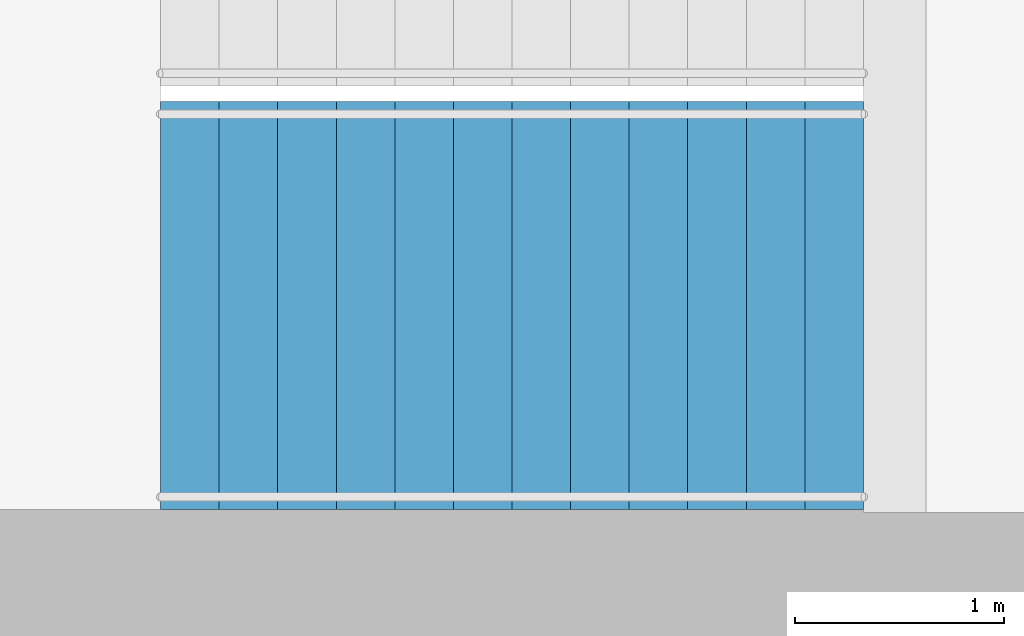
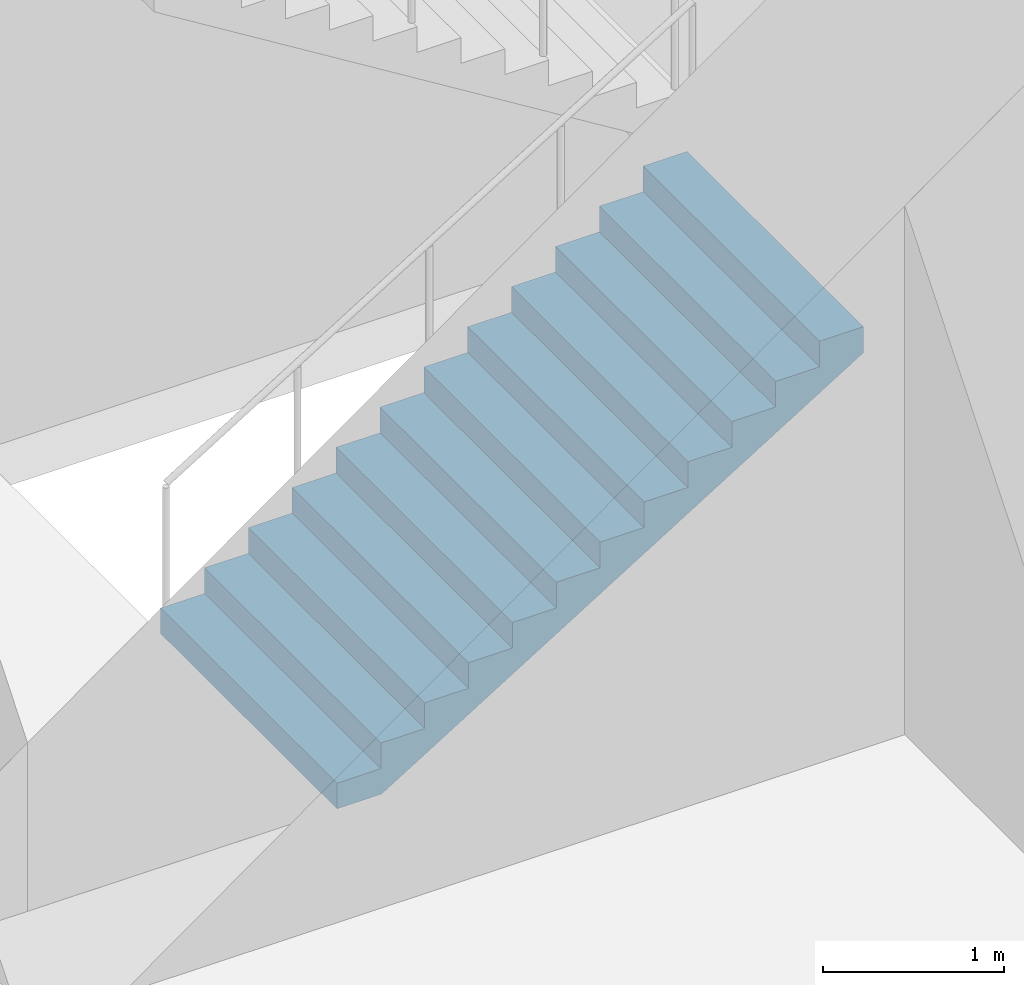
# One storey, part 19 of 32: 1 stair flight, 1 element without a shape of its own.
"""IFC4 building model written with IfcOpenShell, lengths in metres."""

from ifc_helpers import new_model, si_unit, direction, frame, origin, place, context, subcontext, project, spatial, triangles, material, type_object, element, aggregate, save


model = new_model("IFC4")

# Units and contexts
model_context = context("Model", 3, precision=1e-05, world=origin(), true_north=direction((0.0, 1.0)))
body_context = subcontext(model_context, "Body", "Model", "MODEL_VIEW")
ifc_project = project(units=[si_unit("LENGTHUNIT", "METRE"), si_unit("AREAUNIT", "SQUARE_METRE"), si_unit("VOLUMEUNIT", "CUBIC_METRE"), si_unit("PLANEANGLEUNIT", "RADIAN"), si_unit("MASSUNIT", "GRAM", prefix="KILO")], contexts=[model_context])

# Site, building, storey
site_placement = place(None, origin())
site = spatial("IfcSite", under=ifc_project, at=site_placement, CompositionType="ELEMENT")
building_placement = place(site_placement, origin())
building = spatial("IfcBuilding", under=site, at=building_placement, Name="Orbita Commons", CompositionType="ELEMENT")
storey_placement = place(building_placement, frame((0.0, 0.0, 140.35009765625)))
storey = spatial("IfcBuildingStorey", under=building, at=storey_placement, Name="L34", CompositionType="ELEMENT", Elevation=140.35009765625)

# Stair, stair flight
ifc_material_1 = material(Name="Precast concrete C40/50", Category="concrete")
stair_type = type_object("IfcStairType", Name="Exit stair S1 2 flights 13 risers 173", PredefinedType="HALF_TURN_STAIR", material=ifc_material_1)
stair_placement = place(storey_placement, origin())
stair = element("IfcStair", 1, at=stair_placement, inside=storey, type_object=stair_type, Name="Exit stair S1 L34", PredefinedType="HALF_TURN_STAIR")
ifc_material_2 = material(Name="Precast concrete C40/50", Category="concrete")
stair_flight_type = type_object("IfcStairFlightType", Name="Stair flight 13 risers 173 x 280", PredefinedType="STRAIGHT", material=ifc_material_2)
stair_flight_placement = place(storey_placement, frame((20.449951171875, 27.25, 0.0), z_axis=(0.0, 0.0, 1.0), x_axis=(1.0, 0.0, 0.0)))
stair_flight = element("IfcStairFlight", 2, at=stair_flight_placement, type_object=stair_flight_type, Name="S1 flight 1", NumberOfRisers=13, NumberOfTreads=12, PredefinedType="STRAIGHT", RiserHeight=0.173076923, TreadLength=0.28, context=body_context, shape_type="Tessellation", body=[
    triangles([(0.0, 0.974976, 0.0), (0.0, 0.974976, 0.021635), (0.0, 0.81248, 0.021635), (0.0, 0.81248, 0.0), (0.0, 0.649984, 0.021635), (0.0, 0.649984, 0.0), (0.0, 0.487488, 0.021635), (0.0, 0.487488, 0.0), (0.0, 0.324992, 0.021635), (0.0, 0.324992, 0.0), (0.0, 0.162496, 0.021635), (0.0, 0.162496, 0.0), (0.0, 0.0, 0.021635), (0.0, 0.0, 0.0), (0.0, -0.162496, 0.021635), (0.0, -0.162496, 0.0), (0.0, -0.324992, 0.021635), (0.0, -0.324992, 0.0), (0.0, -0.487488, 0.021635), (0.0, -0.487488, 0.0), (0.0, -0.649984, 0.021635), (0.0, -0.649984, 0.0), (0.0, -0.81248, 0.021635), (0.0, -0.81248, 0.0), (0.0, -0.974976, 0.021635), (0.0, -0.974976, 0.0), (0.0, 0.974976, 0.043269), (0.0, 0.81248, 0.043269), (0.0, 0.649984, 0.043269), (0.0, 0.487488, 0.043269), (0.0, 0.324992, 0.043269), (0.0, 0.162496, 0.043269), (0.0, 0.0, 0.043269), (0.0, -0.162496, 0.043269), (0.0, -0.324992, 0.043269), (0.0, -0.487488, 0.043269), (0.0, -0.649984, 0.043269), (0.0, -0.81248, 0.043269), (0.0, -0.974976, 0.043269), (0.0, 0.974976, 0.064904), (0.0, 0.81248, 0.064904), (0.0, 0.649984, 0.064904), (0.0, 0.487488, 0.064904), (0.0, 0.324992, 0.064904), (0.0, 0.162496, 0.064904), (0.0, 0.0, 0.064904), (0.0, -0.162496, 0.064904), (0.0, -0.324992, 0.064904), (0.0, -0.487488, 0.064904), (0.0, -0.649984, 0.064904), (0.0, -0.81248, 0.064904), (0.0, -0.974976, 0.064904), (0.0, 0.974976, 0.086538), (0.0, 0.81248, 0.086538), (0.0, 0.649984, 0.086538), (0.0, 0.487488, 0.086538), (0.0, 0.324992, 0.086538), (0.0, 0.162496, 0.086538), (0.0, 0.0, 0.086538), (0.0, -0.162496, 0.086538), (0.0, -0.324992, 0.086538), (0.0, -0.487488, 0.086538), (0.0, -0.649984, 0.086538), (0.0, -0.81248, 0.086538), (0.0, -0.974976, 0.086538), (0.0, 0.974976, 0.108173), (0.0, 0.81248, 0.108173), (0.0, 0.649984, 0.108173), (0.0, 0.487488, 0.108173), (0.0, 0.324992, 0.108173), (0.0, 0.162496, 0.108173), (0.0, 0.0, 0.108173), (0.0, -0.162496, 0.108173), (0.0, -0.324992, 0.108173), (0.0, -0.487488, 0.108173), (0.0, -0.649984, 0.108173), (0.0, -0.81248, 0.108173), (0.0, -0.974976, 0.108173), (0.0, 0.974976, 0.129808), (0.0, 0.81248, 0.129808), (0.0, 0.649984, 0.129808), (0.0, 0.487488, 0.129808), (0.0, 0.324992, 0.129808), (0.0, 0.162496, 0.129808), (0.0, 0.0, 0.129808), (0.0, -0.162496, 0.129808), (0.0, -0.324992, 0.129808), (0.0, -0.487488, 0.129808), (0.0, -0.649984, 0.129808), (0.0, -0.81248, 0.129808), (0.0, -0.974976, 0.129808), (0.0, 0.974976, 0.151442), (0.0, 0.81248, 0.151442), (0.0, 0.649984, 0.151442), (0.0, 0.487488, 0.151442), (0.0, 0.324992, 0.151442), (0.0, 0.162496, 0.151442), (0.0, 0.0, 0.151442), (0.0, -0.162496, 0.151442), (0.0, -0.324992, 0.151442), (0.0, -0.487488, 0.151442), (0.0, -0.649984, 0.151442), (0.0, -0.81248, 0.151442), (0.0, -0.974976, 0.151442), (0.0, 0.974976, 0.173077), (0.0, 0.81248, 0.173077), (0.0, 0.649984, 0.173077), (0.0, 0.487488, 0.173077), (0.0, 0.324992, 0.173077), (0.0, 0.162496, 0.173077), (0.0, 0.0, 0.173077), (0.0, -0.162496, 0.173077), (0.0, -0.324992, 0.173077), (0.0, -0.487488, 0.173077), (0.0, -0.649984, 0.173077), (0.0, -0.81248, 0.173077), (0.0, -0.974976, 0.173077), (0.28, 0.974976, 0.173077), (0.28, 0.81248, 0.173077), (0.28, 0.649984, 0.173077), (0.28, 0.487488, 0.173077), (0.28, 0.324992, 0.173077), (0.28, 0.162496, 0.173077), (0.28, 0.0, 0.173077), (0.28, -0.162496, 0.173077), (0.28, -0.324992, 0.173077), (0.28, -0.487488, 0.173077), (0.28, -0.649984, 0.173077), (0.28, -0.81248, 0.173077), (0.28, -0.974976, 0.173077), (0.28, 0.974976, 0.346154), (0.28, 0.81248, 0.346154), (0.28, 0.649984, 0.346154), (0.28, 0.487488, 0.346154), (0.28, 0.324992, 0.346154), (0.28, 0.162496, 0.346154), (0.28, 0.0, 0.346154), (0.28, -0.162496, 0.346154), (0.28, -0.324992, 0.346154), (0.28, -0.487488, 0.346154), (0.28, -0.649984, 0.346154), (0.28, -0.81248, 0.346154), (0.28, -0.974976, 0.346154), (0.56, 0.974976, 0.346154), (0.56, 0.81248, 0.346154), (0.56, 0.649984, 0.346154), (0.56, 0.487488, 0.346154), (0.56, 0.324992, 0.346154), (0.56, 0.162496, 0.346154), (0.56, 0.0, 0.346154), (0.56, -0.162496, 0.346154), (0.56, -0.324992, 0.346154), (0.56, -0.487488, 0.346154), (0.56, -0.649984, 0.346154), (0.56, -0.81248, 0.346154), (0.56, -0.974976, 0.346154), (0.56, 0.974976, 0.519231), (0.56, 0.81248, 0.519231), (0.56, 0.649984, 0.519231), (0.56, 0.487488, 0.519231), (0.56, 0.324992, 0.519231), (0.56, 0.162496, 0.519231), (0.56, 0.0, 0.519231), (0.56, -0.162496, 0.519231), (0.56, -0.324992, 0.519231), (0.56, -0.487488, 0.519231), (0.56, -0.649984, 0.519231), (0.56, -0.81248, 0.519231), (0.56, -0.974976, 0.519231), (0.84, 0.974976, 0.519231), (0.84, 0.81248, 0.519231), (0.84, 0.649984, 0.519231), (0.84, 0.487488, 0.519231), (0.84, 0.324992, 0.519231), (0.84, 0.162496, 0.519231), (0.84, 0.0, 0.519231), (0.84, -0.162496, 0.519231), (0.84, -0.324992, 0.519231), (0.84, -0.487488, 0.519231), (0.84, -0.649984, 0.519231), (0.84, -0.81248, 0.519231), (0.84, -0.974976, 0.519231), (0.84, 0.974976, 0.692308), (0.84, 0.81248, 0.692308), (0.84, 0.649984, 0.692308), (0.84, 0.487488, 0.692308), (0.84, 0.324992, 0.692308), (0.84, 0.162496, 0.692308), (0.84, 0.0, 0.692308), (0.84, -0.162496, 0.692308), (0.84, -0.324992, 0.692308), (0.84, -0.487488, 0.692308), (0.84, -0.649984, 0.692308), (0.84, -0.81248, 0.692308), (0.84, -0.974976, 0.692308), (1.12, 0.974976, 0.692308), (1.12, 0.81248, 0.692308), (1.12, 0.649984, 0.692308), (1.12, 0.487488, 0.692308), (1.12, 0.324992, 0.692308), (1.12, 0.162496, 0.692308), (1.12, 0.0, 0.692308), (1.12, -0.162496, 0.692308), (1.12, -0.324992, 0.692308), (1.12, -0.487488, 0.692308), (1.12, -0.649984, 0.692308), (1.12, -0.81248, 0.692308), (1.12, -0.974976, 0.692308), (1.12, 0.974976, 0.865385), (1.12, 0.81248, 0.865385), (1.12, 0.649984, 0.865385), (1.12, 0.487488, 0.865385), (1.12, 0.324992, 0.865385), (1.12, 0.162496, 0.865385), (1.12, 0.0, 0.865385), (1.12, -0.162496, 0.865385), (1.12, -0.324992, 0.865385), (1.12, -0.487488, 0.865385), (1.12, -0.649984, 0.865385), (1.12, -0.81248, 0.865385), (1.12, -0.974976, 0.865385), (1.4, 0.974976, 0.865385), (1.4, 0.81248, 0.865385), (1.4, 0.649984, 0.865385), (1.4, 0.487488, 0.865385), (1.4, 0.324992, 0.865385), (1.4, 0.162496, 0.865385), (1.4, 0.0, 0.865385), (1.4, -0.162496, 0.865385), (1.4, -0.324992, 0.865385), (1.4, -0.487488, 0.865385), (1.4, -0.649984, 0.865385), (1.4, -0.81248, 0.865385), (1.4, -0.974976, 0.865385), (1.4, 0.974976, 1.038462), (1.4, 0.81248, 1.038462), (1.4, 0.649984, 1.038462), (1.4, 0.487488, 1.038462), (1.4, 0.324992, 1.038462), (1.4, 0.162496, 1.038462), (1.4, 0.0, 1.038462), (1.4, -0.162496, 1.038462), (1.4, -0.324992, 1.038462), (1.4, -0.487488, 1.038462), (1.4, -0.649984, 1.038462), (1.4, -0.81248, 1.038462), (1.4, -0.974976, 1.038462), (1.68, 0.974976, 1.038462), (1.68, 0.81248, 1.038462), (1.68, 0.649984, 1.038462), (1.68, 0.487488, 1.038462), (1.68, 0.324992, 1.038462), (1.68, 0.162496, 1.038462), (1.68, 0.0, 1.038462), (1.68, -0.162496, 1.038462), (1.68, -0.324992, 1.038462), (1.68, -0.487488, 1.038462), (1.68, -0.649984, 1.038462), (1.68, -0.81248, 1.038462), (1.68, -0.974976, 1.038462), (1.68, 0.974976, 1.211538), (1.68, 0.81248, 1.211538), (1.68, 0.649984, 1.211538), (1.68, 0.487488, 1.211538), (1.68, 0.324992, 1.211538), (1.68, 0.162496, 1.211538), (1.68, 0.0, 1.211538), (1.68, -0.162496, 1.211538), (1.68, -0.324992, 1.211538), (1.68, -0.487488, 1.211538), (1.68, -0.649984, 1.211538), (1.68, -0.81248, 1.211538), (1.68, -0.974976, 1.211538), (1.96, 0.974976, 1.211538), (1.96, 0.81248, 1.211538), (1.96, 0.649984, 1.211538), (1.96, 0.487488, 1.211538), (1.96, 0.324992, 1.211538), (1.96, 0.162496, 1.211538), (1.96, 0.0, 1.211538), (1.96, -0.162496, 1.211538), (1.96, -0.324992, 1.211538), (1.96, -0.487488, 1.211538), (1.96, -0.649984, 1.211538), (1.96, -0.81248, 1.211538), (1.96, -0.974976, 1.211538), (1.96, 0.974976, 1.384615), (1.96, 0.81248, 1.384615), (1.96, 0.649984, 1.384615), (1.96, 0.487488, 1.384615), (1.96, 0.324992, 1.384615), (1.96, 0.162496, 1.384615), (1.96, 0.0, 1.384615), (1.96, -0.162496, 1.384615), (1.96, -0.324992, 1.384615), (1.96, -0.487488, 1.384615), (1.96, -0.649984, 1.384615), (1.96, -0.81248, 1.384615), (1.96, -0.974976, 1.384615), (2.24, 0.974976, 1.384615), (2.24, 0.81248, 1.384615), (2.24, 0.649984, 1.384615), (2.24, 0.487488, 1.384615), (2.24, 0.324992, 1.384615), (2.24, 0.162496, 1.384615), (2.24, 0.0, 1.384615), (2.24, -0.162496, 1.384615), (2.24, -0.324992, 1.384615), (2.24, -0.487488, 1.384615), (2.24, -0.649984, 1.384615), (2.24, -0.81248, 1.384615), (2.24, -0.974976, 1.384615), (2.24, 0.974976, 1.557692), (2.24, 0.81248, 1.557692), (2.24, 0.649984, 1.557692), (2.24, 0.487488, 1.557692), (2.24, 0.324992, 1.557692), (2.24, 0.162496, 1.557692), (2.24, 0.0, 1.557692), (2.24, -0.162496, 1.557692), (2.24, -0.324992, 1.557692), (2.24, -0.487488, 1.557692), (2.24, -0.649984, 1.557692), (2.24, -0.81248, 1.557692), (2.24, -0.974976, 1.557692), (2.52, 0.974976, 1.557692), (2.52, 0.81248, 1.557692), (2.52, 0.649984, 1.557692), (2.52, 0.487488, 1.557692), (2.52, 0.324992, 1.557692), (2.52, 0.162496, 1.557692), (2.52, 0.0, 1.557692), (2.52, -0.162496, 1.557692), (2.52, -0.324992, 1.557692), (2.52, -0.487488, 1.557692), (2.52, -0.649984, 1.557692), (2.52, -0.81248, 1.557692), (2.52, -0.974976, 1.557692), (2.52, 0.974976, 1.730769), (2.52, 0.81248, 1.730769), (2.52, 0.649984, 1.730769), (2.52, 0.487488, 1.730769), (2.52, 0.324992, 1.730769), (2.52, 0.162496, 1.730769), (2.52, 0.0, 1.730769), (2.52, -0.162496, 1.730769), (2.52, -0.324992, 1.730769), (2.52, -0.487488, 1.730769), (2.52, -0.649984, 1.730769), (2.52, -0.81248, 1.730769), (2.52, -0.974976, 1.730769), (2.8, 0.974976, 1.730769), (2.8, 0.81248, 1.730769), (2.8, 0.649984, 1.730769), (2.8, 0.487488, 1.730769), (2.8, 0.324992, 1.730769), (2.8, 0.162496, 1.730769), (2.8, 0.0, 1.730769), (2.8, -0.162496, 1.730769), (2.8, -0.324992, 1.730769), (2.8, -0.487488, 1.730769), (2.8, -0.649984, 1.730769), (2.8, -0.81248, 1.730769), (2.8, -0.974976, 1.730769), (2.8, 0.974976, 1.903846), (2.8, 0.81248, 1.903846), (2.8, 0.649984, 1.903846), (2.8, 0.487488, 1.903846), (2.8, 0.324992, 1.903846), (2.8, 0.162496, 1.903846), (2.8, 0.0, 1.903846), (2.8, -0.162496, 1.903846), (2.8, -0.324992, 1.903846), (2.8, -0.487488, 1.903846), (2.8, -0.649984, 1.903846), (2.8, -0.81248, 1.903846), (2.8, -0.974976, 1.903846), (3.08, 0.974976, 1.903846), (3.08, 0.81248, 1.903846), (3.08, 0.649984, 1.903846), (3.08, 0.487488, 1.903846), (3.08, 0.324992, 1.903846), (3.08, 0.162496, 1.903846), (3.08, 0.0, 1.903846), (3.08, -0.162496, 1.903846), (3.08, -0.324992, 1.903846), (3.08, -0.487488, 1.903846), (3.08, -0.649984, 1.903846), (3.08, -0.81248, 1.903846), (3.08, -0.974976, 1.903846), (3.08, 0.974976, 2.076923), (3.08, 0.81248, 2.076923), (3.08, 0.649984, 2.076923), (3.08, 0.487488, 2.076923), (3.08, 0.324992, 2.076923), (3.08, 0.162496, 2.076923), (3.08, 0.0, 2.076923), (3.08, -0.162496, 2.076923), (3.08, -0.324992, 2.076923), (3.08, -0.487488, 2.076923), (3.08, -0.649984, 2.076923), (3.08, -0.81248, 2.076923), (3.08, -0.974976, 2.076923), (3.36, 0.974976, 2.076923), (3.36, 0.81248, 2.076923), (3.36, 0.649984, 2.076923), (3.36, 0.487488, 2.076923), (3.36, 0.324992, 2.076923), (3.36, 0.162496, 2.076923), (3.36, 0.0, 2.076923), (3.36, -0.162496, 2.076923), (3.36, -0.324992, 2.076923), (3.36, -0.487488, 2.076923), (3.36, -0.649984, 2.076923), (3.36, -0.81248, 2.076923), (3.36, -0.974976, 2.076923), (3.36, 0.974976, 2.054895), (3.36, 0.81248, 2.054895), (3.36, 0.649984, 2.054895), (3.36, 0.487488, 2.054895), (3.36, 0.324992, 2.054895), (3.36, 0.162496, 2.054895), (3.36, 0.0, 2.054895), (3.36, -0.162496, 2.054895), (3.36, -0.324992, 2.054895), (3.36, -0.487488, 2.054895), (3.36, -0.649984, 2.054895), (3.36, -0.81248, 2.054895), (3.36, -0.974976, 2.054895), (3.36, 0.974976, 2.032866), (3.36, 0.81248, 2.032866), (3.36, 0.649984, 2.032866), (3.36, 0.487488, 2.032866), (3.36, 0.324992, 2.032866), (3.36, 0.162496, 2.032866), (3.36, 0.0, 2.032866), (3.36, -0.162496, 2.032866), (3.36, -0.324992, 2.032866), (3.36, -0.487488, 2.032866), (3.36, -0.649984, 2.032866), (3.36, -0.81248, 2.032866), (3.36, -0.974976, 2.032866), (3.36, 0.974976, 2.010837), (3.36, 0.81248, 2.010837), (3.36, 0.649984, 2.010837), (3.36, 0.487488, 2.010837), (3.36, 0.324992, 2.010837), (3.36, 0.162496, 2.010837), (3.36, 0.0, 2.010837), (3.36, -0.162496, 2.010837), (3.36, -0.324992, 2.010837), (3.36, -0.487488, 2.010837), (3.36, -0.649984, 2.010837), (3.36, -0.81248, 2.010837), (3.36, -0.974976, 2.010837), (3.36, 0.974976, 1.988809), (3.36, 0.81248, 1.988809), (3.36, 0.649984, 1.988809), (3.36, 0.487488, 1.988809), (3.36, 0.324992, 1.988809), (3.36, 0.162496, 1.988809), (3.36, 0.0, 1.988809), (3.36, -0.162496, 1.988809), (3.36, -0.324992, 1.988809), (3.36, -0.487488, 1.988809), (3.36, -0.649984, 1.988809), (3.36, -0.81248, 1.988809), (3.36, -0.974976, 1.988809), (3.36, 0.974976, 1.96678), (3.36, 0.81248, 1.96678), (3.36, 0.649984, 1.96678), (3.36, 0.487488, 1.96678), (3.36, 0.324992, 1.96678), (3.36, 0.162496, 1.96678), (3.36, 0.0, 1.96678), (3.36, -0.162496, 1.96678), (3.36, -0.324992, 1.96678), (3.36, -0.487488, 1.96678), (3.36, -0.649984, 1.96678), (3.36, -0.81248, 1.96678), (3.36, -0.974976, 1.96678), (3.36, 0.974976, 1.944752), (3.36, 0.81248, 1.944752), (3.36, 0.649984, 1.944752), (3.36, 0.487488, 1.944752), (3.36, 0.324992, 1.944752), (3.36, 0.162496, 1.944752), (3.36, 0.0, 1.944752), (3.36, -0.162496, 1.944752), (3.36, -0.324992, 1.944752), (3.36, -0.487488, 1.944752), (3.36, -0.649984, 1.944752), (3.36, -0.81248, 1.944752), (3.36, -0.974976, 1.944752), (3.36, 0.974976, 1.922723), (3.36, 0.81248, 1.922723), (3.36, 0.649984, 1.922723), (3.36, 0.487488, 1.922723), (3.36, 0.324992, 1.922723), (3.36, 0.162496, 1.922723), (3.36, 0.0, 1.922723), (3.36, -0.162496, 1.922723), (3.36, -0.324992, 1.922723), (3.36, -0.487488, 1.922723), (3.36, -0.649984, 1.922723), (3.36, -0.81248, 1.922723), (3.36, -0.974976, 1.922723), (3.36, 0.974976, 1.900695), (3.36, 0.81248, 1.900695), (3.36, 0.649984, 1.900695), (3.36, 0.487488, 1.900695), (3.36, 0.324992, 1.900695), (3.36, 0.162496, 1.900695), (3.36, 0.0, 1.900695), (3.36, -0.162496, 1.900695), (3.36, -0.324992, 1.900695), (3.36, -0.487488, 1.900695), (3.36, -0.649984, 1.900695), (3.36, -0.81248, 1.900695), (3.36, -0.974976, 1.900695), (0.285099, 0.974976, 0.0), (0.285099, 0.81248, 0.0), (0.285099, 0.649984, 0.0), (0.285099, 0.487488, 0.0), (0.285099, 0.324992, 0.0), (0.285099, 0.162496, 0.0), (0.285099, 0.0, 0.0), (0.285099, -0.162496, 0.0), (0.285099, -0.324992, 0.0), (0.285099, -0.487488, 0.0), (0.285099, -0.649984, 0.0), (0.285099, -0.81248, 0.0), (0.285099, -0.974976, 0.0)], [[3, 2, 1], [4, 3, 1], [5, 3, 4], [6, 5, 4], [7, 5, 6], [8, 7, 6], [9, 7, 8], [10, 9, 8], [11, 9, 10], [12, 11, 10], [13, 11, 12], [14, 13, 12], [15, 13, 14], [16, 15, 14], [17, 15, 16], [18, 17, 16], [19, 17, 18], [20, 19, 18], [21, 19, 20], [22, 21, 20], [23, 21, 22], [24, 23, 22], [25, 23, 24], [26, 25, 24], [28, 27, 2], [3, 28, 2], [29, 28, 3], [5, 29, 3], [30, 29, 5], [7, 30, 5], [31, 30, 7], [9, 31, 7], [32, 31, 9], [11, 32, 9], [33, 32, 11], [13, 33, 11], [34, 33, 13], [15, 34, 13], [35, 34, 15], [17, 35, 15], [36, 35, 17], [19, 36, 17], [37, 36, 19], [21, 37, 19], [38, 37, 21], [23, 38, 21], [39, 38, 23], [25, 39, 23], [41, 40, 27], [28, 41, 27], [42, 41, 28], [29, 42, 28], [43, 42, 29], [30, 43, 29], [44, 43, 30], [31, 44, 30], [45, 44, 31], [32, 45, 31], [46, 45, 32], [33, 46, 32], [47, 46, 33], [34, 47, 33], [48, 47, 34], [35, 48, 34], [49, 48, 35], [36, 49, 35], [50, 49, 36], [37, 50, 36], [51, 50, 37], [38, 51, 37], [52, 51, 38], [39, 52, 38], [54, 53, 40], [41, 54, 40], [55, 54, 41], [42, 55, 41], [56, 55, 42], [43, 56, 42], [57, 56, 43], [44, 57, 43], [58, 57, 44], [45, 58, 44], [59, 58, 45], [46, 59, 45], [60, 59, 46], [47, 60, 46], [61, 60, 47], [48, 61, 47], [62, 61, 48], [49, 62, 48], [63, 62, 49], [50, 63, 49], [64, 63, 50], [51, 64, 50], [65, 64, 51], [52, 65, 51], [67, 66, 53], [54, 67, 53], [68, 67, 54], [55, 68, 54], [69, 68, 55], [56, 69, 55], [70, 69, 56], [57, 70, 56], [71, 70, 57], [58, 71, 57], [72, 71, 58], [59, 72, 58], [73, 72, 59], [60, 73, 59], [74, 73, 60], [61, 74, 60], [75, 74, 61], [62, 75, 61], [76, 75, 62], [63, 76, 62], [77, 76, 63], [64, 77, 63], [78, 77, 64], [65, 78, 64], [80, 79, 66], [67, 80, 66], [81, 80, 67], [68, 81, 67], [82, 81, 68], [69, 82, 68], [83, 82, 69], [70, 83, 69], [84, 83, 70], [71, 84, 70], [85, 84, 71], [72, 85, 71], [86, 85, 72], [73, 86, 72], [87, 86, 73], [74, 87, 73], [88, 87, 74], [75, 88, 74], [89, 88, 75], [76, 89, 75], [90, 89, 76], [77, 90, 76], [91, 90, 77], [78, 91, 77], [93, 92, 79], [80, 93, 79], [94, 93, 80], [81, 94, 80], [95, 94, 81], [82, 95, 81], [96, 95, 82], [83, 96, 82], [97, 96, 83], [84, 97, 83], [98, 97, 84], [85, 98, 84], [99, 98, 85], [86, 99, 85], [100, 99, 86], [87, 100, 86], [101, 100, 87], [88, 101, 87], [102, 101, 88], [89, 102, 88], [103, 102, 89], [90, 103, 89], [104, 103, 90], [91, 104, 90], [106, 105, 92], [93, 106, 92], [107, 106, 93], [94, 107, 93], [108, 107, 94], [95, 108, 94], [109, 108, 95], [96, 109, 95], [110, 109, 96], [97, 110, 96], [111, 110, 97], [98, 111, 97], [112, 111, 98], [99, 112, 98], [113, 112, 99], [100, 113, 99], [114, 113, 100], [101, 114, 100], [115, 114, 101], [102, 115, 101], [116, 115, 102], [103, 116, 102], [117, 116, 103], [104, 117, 103], [119, 118, 105], [106, 119, 105], [120, 119, 106], [107, 120, 106], [121, 120, 107], [108, 121, 107], [122, 121, 108], [109, 122, 108], [123, 122, 109], [110, 123, 109], [124, 123, 110], [111, 124, 110], [125, 124, 111], [112, 125, 111], [126, 125, 112], [113, 126, 112], [127, 126, 113], [114, 127, 113], [128, 127, 114], [115, 128, 114], [129, 128, 115], [116, 129, 115], [130, 129, 116], [117, 130, 116], [132, 131, 118], [119, 132, 118], [133, 132, 119], [120, 133, 119], [134, 133, 120], [121, 134, 120], [135, 134, 121], [122, 135, 121], [136, 135, 122], [123, 136, 122], [137, 136, 123], [124, 137, 123], [138, 137, 124], [125, 138, 124], [139, 138, 125], [126, 139, 125], [140, 139, 126], [127, 140, 126], [141, 140, 127], [128, 141, 127], [142, 141, 128], [129, 142, 128], [143, 142, 129], [130, 143, 129], [145, 144, 131], [132, 145, 131], [146, 145, 132], [133, 146, 132], [147, 146, 133], [134, 147, 133], [148, 147, 134], [135, 148, 134], [149, 148, 135], [136, 149, 135], [150, 149, 136], [137, 150, 136], [151, 150, 137], [138, 151, 137], [152, 151, 138], [139, 152, 138], [153, 152, 139], [140, 153, 139], [154, 153, 140], [141, 154, 140], [155, 154, 141], [142, 155, 141], [156, 155, 142], [143, 156, 142], [158, 157, 144], [145, 158, 144], [159, 158, 145], [146, 159, 145], [160, 159, 146], [147, 160, 146], [161, 160, 147], [148, 161, 147], [162, 161, 148], [149, 162, 148], [163, 162, 149], [150, 163, 149], [164, 163, 150], [151, 164, 150], [165, 164, 151], [152, 165, 151], [166, 165, 152], [153, 166, 152], [167, 166, 153], [154, 167, 153], [168, 167, 154], [155, 168, 154], [169, 168, 155], [156, 169, 155], [171, 170, 157], [158, 171, 157], [172, 171, 158], [159, 172, 158], [173, 172, 159], [160, 173, 159], [174, 173, 160], [161, 174, 160], [175, 174, 161], [162, 175, 161], [176, 175, 162], [163, 176, 162], [177, 176, 163], [164, 177, 163], [178, 177, 164], [165, 178, 164], [179, 178, 165], [166, 179, 165], [180, 179, 166], [167, 180, 166], [181, 180, 167], [168, 181, 167], [182, 181, 168], [169, 182, 168], [184, 183, 170], [171, 184, 170], [185, 184, 171], [172, 185, 171], [186, 185, 172], [173, 186, 172], [187, 186, 173], [174, 187, 173], [188, 187, 174], [175, 188, 174], [189, 188, 175], [176, 189, 175], [190, 189, 176], [177, 190, 176], [191, 190, 177], [178, 191, 177], [192, 191, 178], [179, 192, 178], [193, 192, 179], [180, 193, 179], [194, 193, 180], [181, 194, 180], [195, 194, 181], [182, 195, 181], [197, 196, 183], [184, 197, 183], [198, 197, 184], [185, 198, 184], [199, 198, 185], [186, 199, 185], [200, 199, 186], [187, 200, 186], [201, 200, 187], [188, 201, 187], [202, 201, 188], [189, 202, 188], [203, 202, 189], [190, 203, 189], [204, 203, 190], [191, 204, 190], [205, 204, 191], [192, 205, 191], [206, 205, 192], [193, 206, 192], [207, 206, 193], [194, 207, 193], [208, 207, 194], [195, 208, 194], [210, 209, 196], [197, 210, 196], [211, 210, 197], [198, 211, 197], [212, 211, 198], [199, 212, 198], [213, 212, 199], [200, 213, 199], [214, 213, 200], [201, 214, 200], [215, 214, 201], [202, 215, 201], [216, 215, 202], [203, 216, 202], [217, 216, 203], [204, 217, 203], [218, 217, 204], [205, 218, 204], [219, 218, 205], [206, 219, 205], [220, 219, 206], [207, 220, 206], [221, 220, 207], [208, 221, 207], [223, 222, 209], [210, 223, 209], [224, 223, 210], [211, 224, 210], [225, 224, 211], [212, 225, 211], [226, 225, 212], [213, 226, 212], [227, 226, 213], [214, 227, 213], [228, 227, 214], [215, 228, 214], [229, 228, 215], [216, 229, 215], [230, 229, 216], [217, 230, 216], [231, 230, 217], [218, 231, 217], [232, 231, 218], [219, 232, 218], [233, 232, 219], [220, 233, 219], [234, 233, 220], [221, 234, 220], [236, 235, 222], [223, 236, 222], [237, 236, 223], [224, 237, 223], [238, 237, 224], [225, 238, 224], [239, 238, 225], [226, 239, 225], [240, 239, 226], [227, 240, 226], [241, 240, 227], [228, 241, 227], [242, 241, 228], [229, 242, 228], [243, 242, 229], [230, 243, 229], [244, 243, 230], [231, 244, 230], [245, 244, 231], [232, 245, 231], [246, 245, 232], [233, 246, 232], [247, 246, 233], [234, 247, 233], [249, 248, 235], [236, 249, 235], [250, 249, 236], [237, 250, 236], [251, 250, 237], [238, 251, 237], [252, 251, 238], [239, 252, 238], [253, 252, 239], [240, 253, 239], [254, 253, 240], [241, 254, 240], [255, 254, 241], [242, 255, 241], [256, 255, 242], [243, 256, 242], [257, 256, 243], [244, 257, 243], [258, 257, 244], [245, 258, 244], [259, 258, 245], [246, 259, 245], [260, 259, 246], [247, 260, 246], [262, 261, 248], [249, 262, 248], [263, 262, 249], [250, 263, 249], [264, 263, 250], [251, 264, 250], [265, 264, 251], [252, 265, 251], [266, 265, 252], [253, 266, 252], [267, 266, 253], [254, 267, 253], [268, 267, 254], [255, 268, 254], [269, 268, 255], [256, 269, 255], [270, 269, 256], [257, 270, 256], [271, 270, 257], [258, 271, 257], [272, 271, 258], [259, 272, 258], [273, 272, 259], [260, 273, 259], [275, 274, 261], [262, 275, 261], [276, 275, 262], [263, 276, 262], [277, 276, 263], [264, 277, 263], [278, 277, 264], [265, 278, 264], [279, 278, 265], [266, 279, 265], [280, 279, 266], [267, 280, 266], [281, 280, 267], [268, 281, 267], [282, 281, 268], [269, 282, 268], [283, 282, 269], [270, 283, 269], [284, 283, 270], [271, 284, 270], [285, 284, 271], [272, 285, 271], [286, 285, 272], [273, 286, 272], [288, 287, 274], [275, 288, 274], [289, 288, 275], [276, 289, 275], [290, 289, 276], [277, 290, 276], [291, 290, 277], [278, 291, 277], [292, 291, 278], [279, 292, 278], [293, 292, 279], [280, 293, 279], [294, 293, 280], [281, 294, 280], [295, 294, 281], [282, 295, 281], [296, 295, 282], [283, 296, 282], [297, 296, 283], [284, 297, 283], [298, 297, 284], [285, 298, 284], [299, 298, 285], [286, 299, 285], [301, 300, 287], [288, 301, 287], [302, 301, 288], [289, 302, 288], [303, 302, 289], [290, 303, 289], [304, 303, 290], [291, 304, 290], [305, 304, 291], [292, 305, 291], [306, 305, 292], [293, 306, 292], [307, 306, 293], [294, 307, 293], [308, 307, 294], [295, 308, 294], [309, 308, 295], [296, 309, 295], [310, 309, 296], [297, 310, 296], [311, 310, 297], [298, 311, 297], [312, 311, 298], [299, 312, 298], [314, 313, 300], [301, 314, 300], [315, 314, 301], [302, 315, 301], [316, 315, 302], [303, 316, 302], [317, 316, 303], [304, 317, 303], [318, 317, 304], [305, 318, 304], [319, 318, 305], [306, 319, 305], [320, 319, 306], [307, 320, 306], [321, 320, 307], [308, 321, 307], [322, 321, 308], [309, 322, 308], [323, 322, 309], [310, 323, 309], [324, 323, 310], [311, 324, 310], [325, 324, 311], [312, 325, 311], [327, 326, 313], [314, 327, 313], [328, 327, 314], [315, 328, 314], [329, 328, 315], [316, 329, 315], [330, 329, 316], [317, 330, 316], [331, 330, 317], [318, 331, 317], [332, 331, 318], [319, 332, 318], [333, 332, 319], [320, 333, 319], [334, 333, 320], [321, 334, 320], [335, 334, 321], [322, 335, 321], [336, 335, 322], [323, 336, 322], [337, 336, 323], [324, 337, 323], [338, 337, 324], [325, 338, 324], [340, 339, 326], [327, 340, 326], [341, 340, 327], [328, 341, 327], [342, 341, 328], [329, 342, 328], [343, 342, 329], [330, 343, 329], [344, 343, 330], [331, 344, 330], [345, 344, 331], [332, 345, 331], [346, 345, 332], [333, 346, 332], [347, 346, 333], [334, 347, 333], [348, 347, 334], [335, 348, 334], [349, 348, 335], [336, 349, 335], [350, 349, 336], [337, 350, 336], [351, 350, 337], [338, 351, 337], [353, 352, 339], [340, 353, 339], [354, 353, 340], [341, 354, 340], [355, 354, 341], [342, 355, 341], [356, 355, 342], [343, 356, 342], [357, 356, 343], [344, 357, 343], [358, 357, 344], [345, 358, 344], [359, 358, 345], [346, 359, 345], [360, 359, 346], [347, 360, 346], [361, 360, 347], [348, 361, 347], [362, 361, 348], [349, 362, 348], [363, 362, 349], [350, 363, 349], [364, 363, 350], [351, 364, 350], [366, 365, 352], [353, 366, 352], [367, 366, 353], [354, 367, 353], [368, 367, 354], [355, 368, 354], [369, 368, 355], [356, 369, 355], [370, 369, 356], [357, 370, 356], [371, 370, 357], [358, 371, 357], [372, 371, 358], [359, 372, 358], [373, 372, 359], [360, 373, 359], [374, 373, 360], [361, 374, 360], [375, 374, 361], [362, 375, 361], [376, 375, 362], [363, 376, 362], [377, 376, 363], [364, 377, 363], [379, 378, 365], [366, 379, 365], [380, 379, 366], [367, 380, 366], [381, 380, 367], [368, 381, 367], [382, 381, 368], [369, 382, 368], [383, 382, 369], [370, 383, 369], [384, 383, 370], [371, 384, 370], [385, 384, 371], [372, 385, 371], [386, 385, 372], [373, 386, 372], [387, 386, 373], [374, 387, 373], [388, 387, 374], [375, 388, 374], [389, 388, 375], [376, 389, 375], [390, 389, 376], [377, 390, 376], [392, 391, 378], [379, 392, 378], [393, 392, 379], [380, 393, 379], [394, 393, 380], [381, 394, 380], [395, 394, 381], [382, 395, 381], [396, 395, 382], [383, 396, 382], [397, 396, 383], [384, 397, 383], [398, 397, 384], [385, 398, 384], [399, 398, 385], [386, 399, 385], [400, 399, 386], [387, 400, 386], [401, 400, 387], [388, 401, 387], [402, 401, 388], [389, 402, 388], [403, 402, 389], [390, 403, 389], [405, 404, 391], [392, 405, 391], [406, 405, 392], [393, 406, 392], [407, 406, 393], [394, 407, 393], [408, 407, 394], [395, 408, 394], [409, 408, 395], [396, 409, 395], [410, 409, 396], [397, 410, 396], [411, 410, 397], [398, 411, 397], [412, 411, 398], [399, 412, 398], [413, 412, 399], [400, 413, 399], [414, 413, 400], [401, 414, 400], [415, 414, 401], [402, 415, 401], [416, 415, 402], [403, 416, 402], [418, 417, 404], [405, 418, 404], [419, 418, 405], [406, 419, 405], [420, 419, 406], [407, 420, 406], [421, 420, 407], [408, 421, 407], [422, 421, 408], [409, 422, 408], [423, 422, 409], [410, 423, 409], [424, 423, 410], [411, 424, 410], [425, 424, 411], [412, 425, 411], [426, 425, 412], [413, 426, 412], [427, 426, 413], [414, 427, 413], [428, 427, 414], [415, 428, 414], [429, 428, 415], [416, 429, 415], [431, 430, 417], [418, 431, 417], [432, 431, 418], [419, 432, 418], [433, 432, 419], [420, 433, 419], [434, 433, 420], [421, 434, 420], [435, 434, 421], [422, 435, 421], [436, 435, 422], [423, 436, 422], [437, 436, 423], [424, 437, 423], [438, 437, 424], [425, 438, 424], [439, 438, 425], [426, 439, 425], [440, 439, 426], [427, 440, 426], [441, 440, 427], [428, 441, 427], [442, 441, 428], [429, 442, 428], [444, 443, 430], [431, 444, 430], [445, 444, 431], [432, 445, 431], [446, 445, 432], [433, 446, 432], [447, 446, 433], [434, 447, 433], [448, 447, 434], [435, 448, 434], [449, 448, 435], [436, 449, 435], [450, 449, 436], [437, 450, 436], [451, 450, 437], [438, 451, 437], [452, 451, 438], [439, 452, 438], [453, 452, 439], [440, 453, 439], [454, 453, 440], [441, 454, 440], [455, 454, 441], [442, 455, 441], [457, 456, 443], [444, 457, 443], [458, 457, 444], [445, 458, 444], [459, 458, 445], [446, 459, 445], [460, 459, 446], [447, 460, 446], [461, 460, 447], [448, 461, 447], [462, 461, 448], [449, 462, 448], [463, 462, 449], [450, 463, 449], [464, 463, 450], [451, 464, 450], [465, 464, 451], [452, 465, 451], [466, 465, 452], [453, 466, 452], [467, 466, 453], [454, 467, 453], [468, 467, 454], [455, 468, 454], [470, 469, 456], [457, 470, 456], [471, 470, 457], [458, 471, 457], [472, 471, 458], [459, 472, 458], [473, 472, 459], [460, 473, 459], [474, 473, 460], [461, 474, 460], [475, 474, 461], [462, 475, 461], [476, 475, 462], [463, 476, 462], [477, 476, 463], [464, 477, 463], [478, 477, 464], [465, 478, 464], [479, 478, 465], [466, 479, 465], [480, 479, 466], [467, 480, 466], [481, 480, 467], [468, 481, 467], [483, 482, 469], [470, 483, 469], [484, 483, 470], [471, 484, 470], [485, 484, 471], [472, 485, 471], [486, 485, 472], [473, 486, 472], [487, 486, 473], [474, 487, 473], [488, 487, 474], [475, 488, 474], [489, 488, 475], [476, 489, 475], [490, 489, 476], [477, 490, 476], [491, 490, 477], [478, 491, 477], [492, 491, 478], [479, 492, 478], [493, 492, 479], [480, 493, 479], [494, 493, 480], [481, 494, 480], [496, 495, 482], [483, 496, 482], [497, 496, 483], [484, 497, 483], [498, 497, 484], [485, 498, 484], [499, 498, 485], [486, 499, 485], [500, 499, 486], [487, 500, 486], [501, 500, 487], [488, 501, 487], [502, 501, 488], [489, 502, 488], [503, 502, 489], [490, 503, 489], [504, 503, 490], [491, 504, 490], [505, 504, 491], [492, 505, 491], [506, 505, 492], [493, 506, 492], [507, 506, 493], [494, 507, 493], [509, 508, 495], [496, 509, 495], [510, 509, 496], [497, 510, 496], [511, 510, 497], [498, 511, 497], [512, 511, 498], [499, 512, 498], [513, 512, 499], [500, 513, 499], [514, 513, 500], [501, 514, 500], [515, 514, 501], [502, 515, 501], [516, 515, 502], [503, 516, 502], [517, 516, 503], [504, 517, 503], [518, 517, 504], [505, 518, 504], [519, 518, 505], [506, 519, 505], [520, 519, 506], [507, 520, 506], [522, 521, 508], [509, 522, 508], [523, 522, 509], [510, 523, 509], [524, 523, 510], [511, 524, 510], [525, 524, 511], [512, 525, 511], [526, 525, 512], [513, 526, 512], [527, 526, 513], [514, 527, 513], [528, 527, 514], [515, 528, 514], [529, 528, 515], [516, 529, 515], [530, 529, 516], [517, 530, 516], [531, 530, 517], [518, 531, 517], [532, 531, 518], [519, 532, 518], [533, 532, 519], [520, 533, 519], [4, 1, 521], [522, 4, 521], [6, 4, 522], [523, 6, 522], [8, 6, 523], [524, 8, 523], [10, 8, 524], [525, 10, 524], [12, 10, 525], [526, 12, 525], [14, 12, 526], [527, 14, 526], [16, 14, 527], [528, 16, 527], [18, 16, 528], [529, 18, 528], [20, 18, 529], [530, 20, 529], [22, 20, 530], [531, 22, 530], [24, 22, 531], [532, 24, 531], [26, 24, 532], [533, 26, 532], [508, 521, 1], [26, 533, 520], [495, 508, 1], [26, 520, 507], [482, 495, 1], [26, 507, 494], [469, 482, 1], [26, 494, 481], [456, 469, 1], [26, 481, 468], [443, 456, 1], [26, 468, 455], [430, 443, 1], [26, 455, 442], [417, 430, 1], [26, 442, 429], [391, 404, 417], [429, 416, 403], [378, 391, 417], [429, 403, 390], [352, 365, 378], [390, 377, 364], [352, 378, 417], [429, 390, 364], [326, 339, 352], [364, 351, 338], [326, 352, 417], [429, 364, 338], [300, 313, 326], [338, 325, 312], [300, 326, 417], [429, 338, 312], [274, 287, 300], [312, 299, 286], [274, 300, 417], [429, 312, 286], [248, 261, 274], [286, 273, 260], [248, 274, 417], [429, 286, 260], [222, 235, 248], [260, 247, 234], [222, 248, 417], [429, 260, 234], [196, 209, 222], [234, 221, 208], [196, 222, 417], [429, 234, 208], [170, 183, 196], [208, 195, 182], [170, 196, 417], [429, 208, 182], [144, 157, 170], [182, 169, 156], [144, 170, 417], [429, 182, 156], [118, 131, 144], [156, 143, 130], [118, 144, 417], [429, 156, 130], [118, 417, 1], [26, 429, 130], [92, 105, 118], [130, 117, 104], [79, 92, 118], [130, 104, 91], [66, 79, 118], [130, 91, 78], [53, 66, 118], [130, 78, 65], [40, 53, 118], [130, 65, 52], [27, 40, 118], [130, 52, 39], [2, 27, 118], [130, 39, 25], [1, 2, 118], [130, 25, 26]], closed=True),
])
aggregate(stair, [stair_flight])

save(model, "model.ifc")
